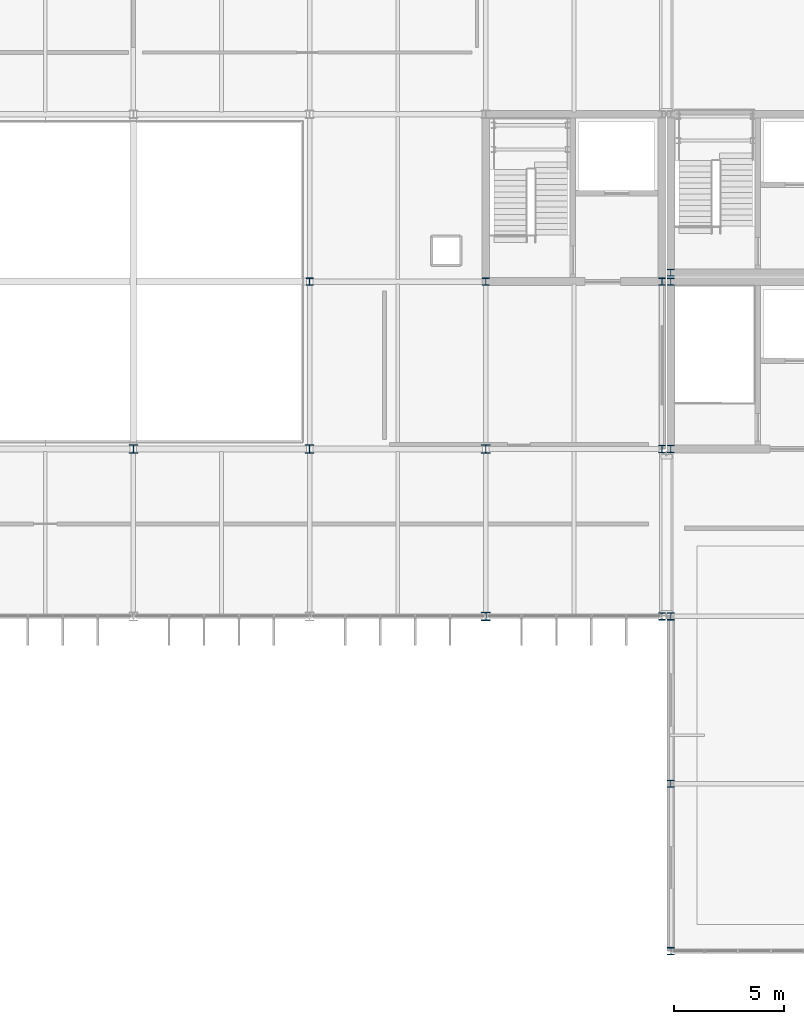
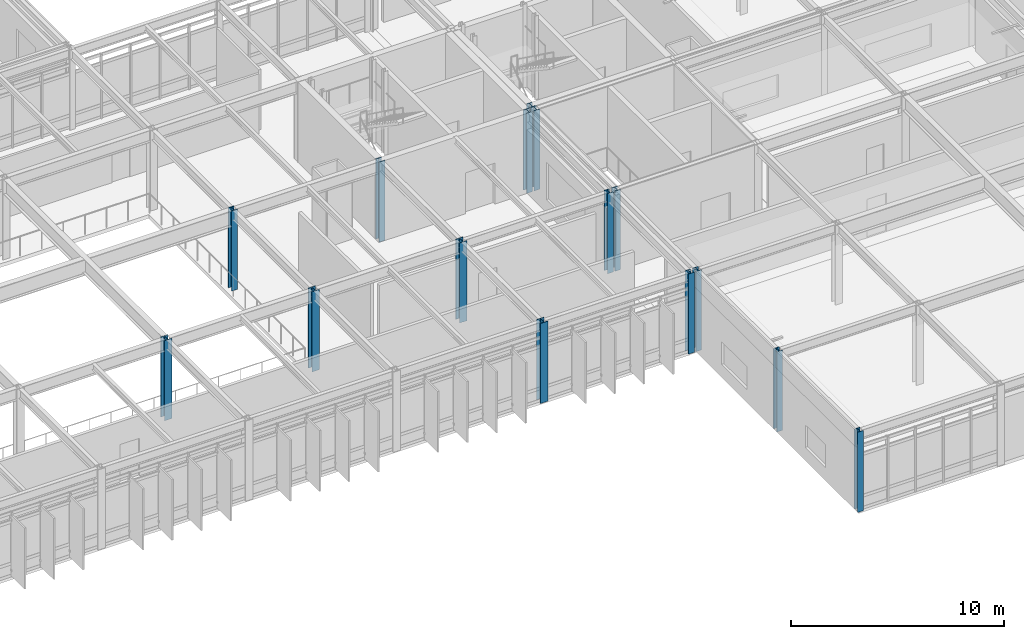
# One storey, part 9 of 104: 15 columns.
"""IFC4 building model written with IfcOpenShell, lengths in metres."""

from ifc_helpers import new_model, si_unit, direction, frame, origin, origin_2d, place, context, subcontext, project, spatial, i_section, extrude, material, material_profile, profile_set, type_object, element, save


model = new_model("IFC4")

# Units and contexts
model_context = context("Model", 3, precision=1e-05, world=origin(), true_north=direction((0.0, 1.0)))
body_context = subcontext(model_context, "Body", "Model", "MODEL_VIEW")
ifc_project = project(units=[si_unit("LENGTHUNIT", "METRE"), si_unit("AREAUNIT", "SQUARE_METRE"), si_unit("VOLUMEUNIT", "CUBIC_METRE"), si_unit("PLANEANGLEUNIT", "RADIAN"), si_unit("MASSUNIT", "GRAM", prefix="KILO")], contexts=[model_context])

# Site, building, storey
site_placement = place(None, origin())
site = spatial("IfcSite", under=ifc_project, at=site_placement, CompositionType="ELEMENT")
building_placement = place(site_placement, origin())
building = spatial("IfcBuilding", under=site, at=building_placement, Name="Zulena Civic Courthouse", CompositionType="ELEMENT")
storey_placement = place(building_placement, frame((0.0, 0.0, 15.60009765625)))
storey = spatial("IfcBuildingStorey", under=building, at=storey_placement, Name="L03", CompositionType="ELEMENT", Elevation=15.60009765625)

# Columns
ifc_material = material(Name="Steel ASTM A992 Grade 50", Category="steel")
ifc_material_profile_1 = material_profile(ifc_material, i_section(OverallWidth=0.31298828125, OverallDepth=0.3330078125, WebThickness=0.01806640625, FlangeThickness=0.0283203125, FilletRadius=0.01513671875, at=origin_2d()), Name="W12X120")
ifc_profile_set_1 = profile_set([ifc_material_profile_1], Name="Steel ASTM A992 Grade 50")
column_type_1 = type_object("IfcColumnType", Name="Col_W12X120", PredefinedType="COLUMN", material=ifc_profile_set_1)
for number, where, z_axis, x_axis, name in (
    (1, (124.39990234375, 0.0, 0.0), (0.0, 0.0, 1.0), (1.0, 0.0, 0.0), "col:V1:L03:124.4:0.0"),
    (2, (124.39990234375, 7.60009765625, 0.0), (0.0, 0.0, 1.0), (1.0, 0.0, 0.0), "col:V1:L03:124.4:7.6"),
    (3, (124.39990234375, 15.199951171875, 0.0), (0.0, 0.0, 1.0), (1.0, 0.0, 0.0), "col:V1:L03:124.4:15.2"),
    (4, (124.39990234375, 22.800048828125, 0.0), (0.0, 0.0, 1.0), (1.0, 0.0, 0.0), "col:V1:L03:124.4:22.8"),
    (5, (124.39990234375, 30.39990234375, 0.0), (0.0, 0.0, 1.0), (1.0, 0.0, 0.0), "col:V1:L03:124.4:30.4"),
):
    element("IfcColumn", number, at=place(storey_placement, frame(where, z_axis=z_axis, x_axis=x_axis)), inside=storey, type_object=column_type_1, Name=name, PredefinedType="COLUMN", context=body_context, shape_type="SweptSolid", body=[
        extrude(i_section(OverallWidth=0.31298828125, OverallDepth=0.3330078125, WebThickness=0.01806640625, FlangeThickness=0.0283203125, FilletRadius=0.01513671875, at=origin_2d()), origin(), (0.0, 0.0, 1.0), 4.594970703125),
    ])
column_1_placement = place(storey_placement, frame((124.39990234375, 30.800048828125, 0.0), z_axis=(0.0, 0.0, 1.0), x_axis=(1.0, 0.0, 0.0)))
element("IfcColumn", 6, at=column_1_placement, inside=storey, type_object=column_type_1, Name="col:V3:L03:124.4:30.8", PredefinedType="COLUMN", context=body_context, shape_type="SweptSolid", body=[
    extrude(i_section(OverallWidth=0.31298828125, OverallDepth=0.3330078125, WebThickness=0.01806640625, FlangeThickness=0.0283203125, FilletRadius=0.01513671875, at=origin_2d()), origin(), (0.0, 0.0, 1.0), 4.544921875),
])
for number, where, z_axis, x_axis, name in (
    (7, (108.0, 30.39990234375, 0.0), (0.0, 0.0, 1.0), (1.0, 0.0, 0.0), "col:V4:L03:108.0:30.4"),
    (8, (116.0, 30.39990234375, 0.0), (0.0, 0.0, 1.0), (1.0, 0.0, 0.0), "col:V4:L03:116.0:30.4"),
    (9, (124.0, 15.199951171875, 0.0), (0.0, 0.0, 1.0), (1.0, 0.0, 0.0), "col:V4:L03:124.0:15.2"),
    (10, (124.0, 22.800048828125, 0.0), (0.0, 0.0, 1.0), (1.0, 0.0, 0.0), "col:V4:L03:124.0:22.8"),
    (11, (124.0, 30.39990234375, 0.0), (0.0, 0.0, 1.0), (1.0, 0.0, 0.0), "col:V4:L03:124.0:30.4"),
):
    element("IfcColumn", number, at=place(storey_placement, frame(where, z_axis=z_axis, x_axis=x_axis)), inside=storey, type_object=column_type_1, Name=name, PredefinedType="COLUMN", context=body_context, shape_type="SweptSolid", body=[
        extrude(i_section(OverallWidth=0.31298828125, OverallDepth=0.3330078125, WebThickness=0.01806640625, FlangeThickness=0.0283203125, FilletRadius=0.01513671875, at=origin_2d()), origin(), (0.0, 0.0, 1.0), 4.58984375),
    ])
ifc_material_profile_2 = material_profile(ifc_material, i_section(OverallWidth=0.39404296875, OverallDepth=0.3759765625, WebThickness=0.017333984375, FlangeThickness=0.027587890625, FilletRadius=0.01513671875, at=origin_2d()), Name="W14X145")
ifc_profile_set_2 = profile_set([ifc_material_profile_2], Name="Steel ASTM A992 Grade 50")
column_type_2 = type_object("IfcColumnType", Name="Col_W14X145", PredefinedType="COLUMN", material=ifc_profile_set_2)
for number, where, z_axis, x_axis, name in (
    (12, (100.0, 22.800048828125, 0.0), (0.0, 0.0, 1.0), (1.0, 0.0, 0.0), "col:V4:L03:100.0:22.8"),
    (13, (108.0, 22.800048828125, 0.0), (0.0, 0.0, 1.0), (1.0, 0.0, 0.0), "col:V4:L03:108.0:22.8"),
    (14, (116.0, 22.800048828125, 0.0), (0.0, 0.0, 1.0), (1.0, 0.0, 0.0), "col:V4:L03:116.0:22.8"),
):
    element("IfcColumn", number, at=place(storey_placement, frame(where, z_axis=z_axis, x_axis=x_axis)), inside=storey, type_object=column_type_2, Name=name, PredefinedType="COLUMN", context=body_context, shape_type="SweptSolid", body=[
        extrude(i_section(OverallWidth=0.39404296875, OverallDepth=0.3759765625, WebThickness=0.017333984375, FlangeThickness=0.027587890625, FilletRadius=0.01513671875, at=origin_2d()), origin(), (0.0, 0.0, 1.0), 4.58984375),
    ])
ifc_material_profile_3 = material_profile(ifc_material, i_section(OverallWidth=0.39892578125, OverallDepth=0.386962890625, WebThickness=0.02099609375, FlangeThickness=0.033203125, FilletRadius=0.01513671875, at=origin_2d()), Name="W14X176")
ifc_profile_set_3 = profile_set([ifc_material_profile_3], Name="Steel ASTM A992 Grade 50")
column_type_3 = type_object("IfcColumnType", Name="Col_W14X176", PredefinedType="COLUMN", material=ifc_profile_set_3)
column_2_placement = place(storey_placement, frame((116.0, 15.199951171875, 0.0), z_axis=(0.0, 0.0, 1.0), x_axis=(1.0, 0.0, 0.0)))
element("IfcColumn", 15, at=column_2_placement, inside=storey, type_object=column_type_3, Name="col:V4:L03:116.0:15.2", PredefinedType="COLUMN", context=body_context, shape_type="SweptSolid", body=[
    extrude(i_section(OverallWidth=0.39892578125, OverallDepth=0.386962890625, WebThickness=0.02099609375, FlangeThickness=0.033203125, FilletRadius=0.01513671875, at=origin_2d()), origin(), (0.0, 0.0, 1.0), 4.58984375),
])

save(model, "model.ifc")
